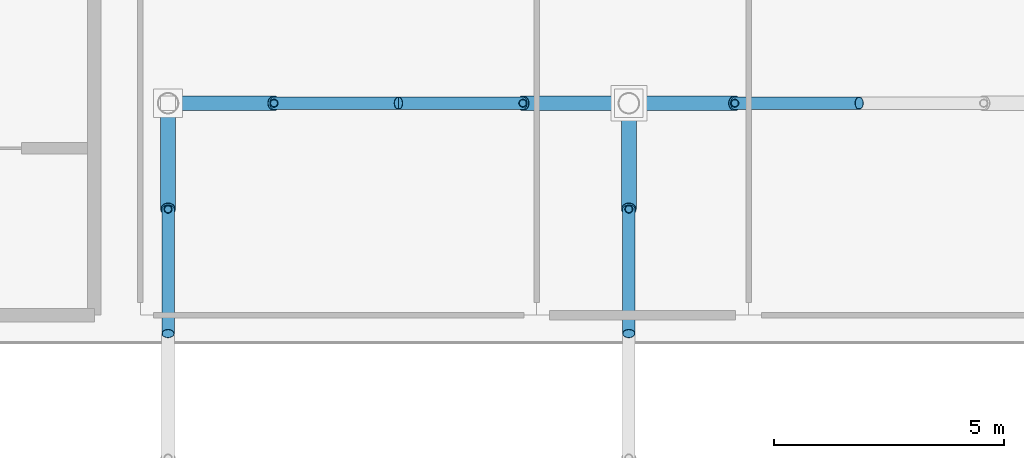
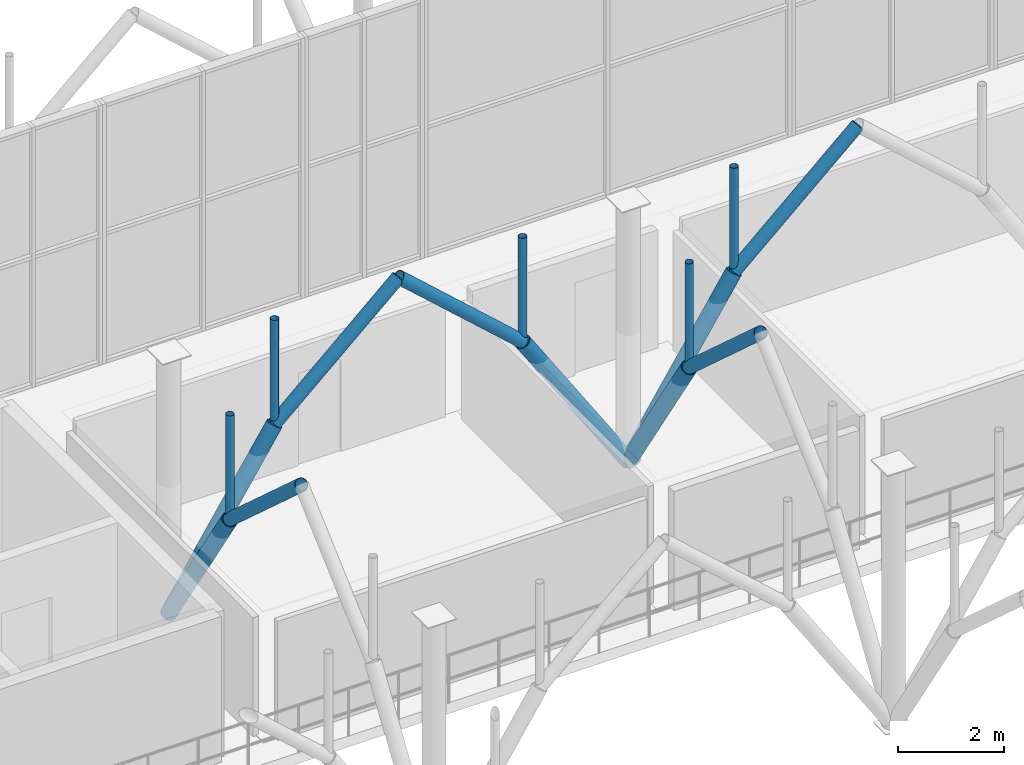
# One storey, part 58 of 109: 15 members.
"""IFC4 building model written with IfcOpenShell, lengths in metres."""

from ifc_helpers import new_model, si_unit, derived_unit, direction, frame, origin, origin_2d_with_axis, place, context, subcontext, project, spatial, hollow_circle, extrude, material, material_profile, profile_set, type_object, element, save


model = new_model("IFC4")

# Units and contexts
model_context = context("Model", 3, precision=1e-05, world=origin(), true_north=direction((0.0, 1.0)))
body_context = subcontext(model_context, "Body", "Model", "MODEL_VIEW")
ifc_project = project(units=[si_unit("LENGTHUNIT", "METRE"), si_unit("AREAUNIT", "SQUARE_METRE"), si_unit("VOLUMEUNIT", "CUBIC_METRE"), si_unit("PLANEANGLEUNIT", "RADIAN"), si_unit("MASSUNIT", "GRAM", prefix="KILO"), derived_unit("THERMALTRANSMITTANCEUNIT", [(si_unit("POWERUNIT", "WATT"), 1), (si_unit("LENGTHUNIT", "METRE"), -2), (si_unit("THERMODYNAMICTEMPERATUREUNIT", "KELVIN"), -1)])], contexts=[model_context])

# Site, building, storey
site_placement = place(None, origin())
site = spatial("IfcSite", under=ifc_project, at=site_placement, CompositionType="ELEMENT")
building_placement = place(site_placement, origin())
building = spatial("IfcBuilding", under=site, at=building_placement, Name="Cinnabar Yard Market Hall", CompositionType="ELEMENT")
storey_placement = place(building_placement, frame((0.0, 0.0, 8.39990234375)))
storey = spatial("IfcBuildingStorey", under=building, at=storey_placement, Name="L02", CompositionType="ELEMENT", Elevation=8.39990234375)

# Members
ifc_material_1 = material(Name="Spotted-gum glulam-clad steel Grade 350 (350 MPa)", Category="steel")
ifc_material_profile_1 = material_profile(ifc_material_1, hollow_circle(Radius=0.136474609375, WallThickness=0.00927734375, at=origin_2d_with_axis()), Name="273.1x9.3CHS")
ifc_profile_set_1 = profile_set([ifc_material_profile_1], Name="Spotted-gum glulam-clad steel Grade 350 (350 MPa)")
member_type_1 = type_object("IfcMemberType", Name="MB-AR01", PredefinedType="USERDEFINED", material=ifc_profile_set_1)
for number, where, z_axis, x_axis, name in (
    (1, (98.300048828125, 64.0, 3.550048828125), (0.743297488271, 0.0, 0.668961018244), (0.0, 1.0, 0.0), "Pointed Arch Rib 0044"),
    (2, (96.0, 61.699951171875, 3.550048828125), (0.0, -0.743297488271, 0.668961018244), (1.0, 0.0, 0.0), "Pointed Arch Rib 0045"),
    (3, (108.300048828125, 64.0, 3.550048828125), (0.743297488271, 0.0, 0.668961018244), (0.0, 1.0, 0.0), "Pointed Arch Rib 0061"),
    (4, (103.699951171875, 64.0, 3.550048828125), (-0.743297488271, 0.0, 0.668961018244), (0.0, -1.0, 0.0), "Pointed Arch Rib 0062"),
    (5, (106.0, 61.699951171875, 3.550048828125), (0.0, -0.743297488271, 0.668961018244), (1.0, 0.0, 0.0), "Pointed Arch Rib 0063"),
):
    element("IfcMember", number, at=place(storey_placement, frame(where, z_axis=z_axis, x_axis=x_axis)), inside=storey, type_object=member_type_1, Name=name, ObjectType="ARCH RIB", PredefinedType="USERDEFINED", context=body_context, shape_type="SweptSolid", body=[
        extrude(hollow_circle(Radius=0.136474609375, WallThickness=0.00927734375, at=origin_2d_with_axis()), origin(), (0.0, 0.0, 1.0), 3.63232421875),
    ])
ifc_material_profile_2 = material_profile(ifc_material_1, hollow_circle(Radius=0.161865234375, WallThickness=0.009521484375, at=origin_2d_with_axis()), Name="323.9x9.5CHS")
ifc_profile_set_2 = profile_set([ifc_material_profile_2], Name="Spotted-gum glulam-clad steel Grade 350 (350 MPa)")
member_type_2 = type_object("IfcMemberType", Name="MB-ST01", PredefinedType="STRUT", material=ifc_profile_set_2)
for number, where, z_axis, x_axis, name in (
    (6, (96.0, 64.0, 0.0), (0.543744165176, 0.0, 0.839251024925), (0.0, 1.0, 0.0), "Curved Branch Arm Lower 0044"),
    (7, (96.0, 64.0, 0.0), (0.0, -0.543744165176, 0.839251024925), (1.0, 0.0, 0.0), "Curved Branch Arm Lower 0045"),
    (8, (106.0, 64.0, 0.0), (0.543744165176, 0.0, 0.839251024925), (0.0, 1.0, 0.0), "Curved Branch Arm Lower 0061"),
    (9, (106.0, 64.0, 0.0), (-0.543744165176, 0.0, 0.839251024925), (0.0, -1.0, 0.0), "Curved Branch Arm Lower 0062"),
    (10, (106.0, 64.0, 0.0), (0.0, -0.543744165176, 0.839251024925), (1.0, 0.0, 0.0), "Curved Branch Arm Lower 0063"),
):
    element("IfcMember", number, at=place(storey_placement, frame(where, z_axis=z_axis, x_axis=x_axis)), inside=storey, type_object=member_type_2, Name=name, PredefinedType="STRUT", context=body_context, shape_type="SweptSolid", body=[
        extrude(hollow_circle(Radius=0.161865234375, WallThickness=0.009521484375, at=origin_2d_with_axis()), origin(), (0.0, 0.0, 1.0), 4.22998046875),
    ])
ifc_material_2 = material(Name="Cold-formed steel C350L0", Category="steel")
ifc_material_profile_3 = material_profile(ifc_material_2, hollow_circle(Radius=0.084228515625, WallThickness=0.00634765625, at=origin_2d_with_axis()), Name="168.3x6.4CHS")
ifc_profile_set_3 = profile_set([ifc_material_profile_3], Name="Cold-formed steel C350L0")
member_type_3 = type_object("IfcMemberType", Name="MB-WB01", PredefinedType="STRUT", material=ifc_profile_set_3)
for number, where, z_axis, x_axis, name in (
    (11, (98.300048828125, 64.0, 3.550048828125), (0.0, 0.0, 1.0), (1.0, 0.0, 0.0), "Arch Spandrel Post 0044"),
    (12, (96.0, 61.699951171875, 3.550048828125), (0.0, 0.0, 1.0), (1.0, 0.0, 0.0), "Arch Spandrel Post 0045"),
    (13, (108.300048828125, 64.0, 3.550048828125), (0.0, 0.0, 1.0), (1.0, 0.0, 0.0), "Arch Spandrel Post 0061"),
    (14, (103.699951171875, 64.0, 3.550048828125), (0.0, 0.0, 1.0), (1.0, 0.0, 0.0), "Arch Spandrel Post 0062"),
    (15, (106.0, 61.699951171875, 3.550048828125), (0.0, 0.0, 1.0), (1.0, 0.0, 0.0), "Arch Spandrel Post 0063"),
):
    element("IfcMember", number, at=place(storey_placement, frame(where, z_axis=z_axis, x_axis=x_axis)), inside=storey, type_object=member_type_3, Name=name, PredefinedType="STRUT", context=body_context, shape_type="SweptSolid", body=[
        extrude(hollow_circle(Radius=0.084228515625, WallThickness=0.00634765625, at=origin_2d_with_axis()), origin(), (0.0, 0.0, 1.0), 2.429931640625),
    ])

save(model, "model.ifc")
